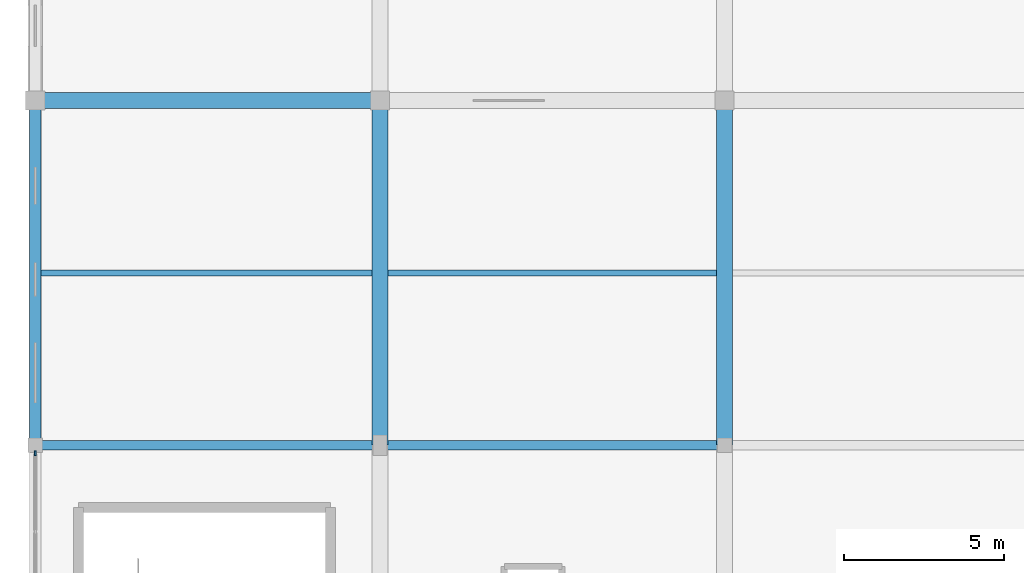
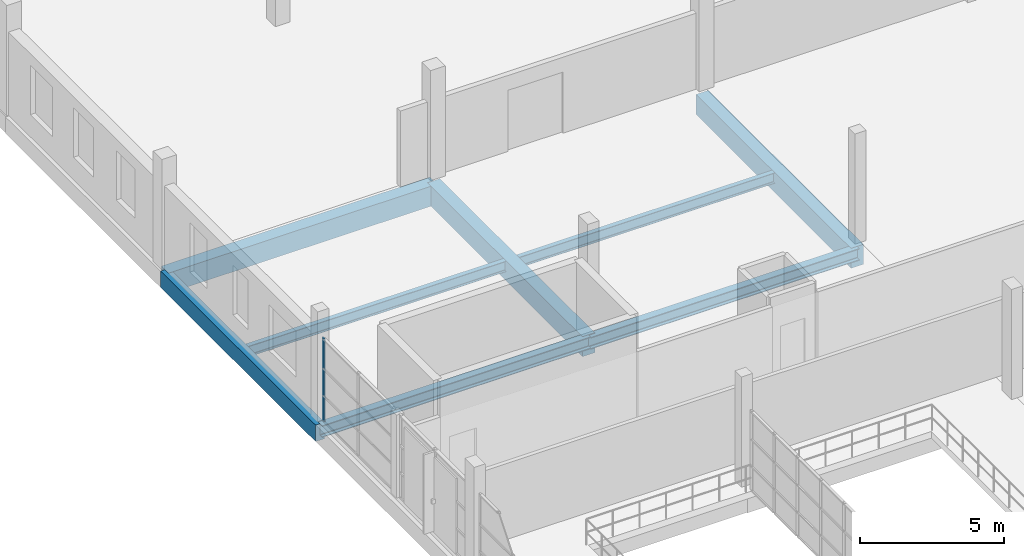
# One storey, part 38 of 142: 8 beams, 1 member, 1 element without a shape of its own.
"""IFC4 building model written with IfcOpenShell, lengths in metres."""

from ifc_helpers import new_model, si_unit, direction, frame, origin, origin_2d, place, context, subcontext, project, spatial, rectangle, i_section, extrude, material, material_profile, profile_set, type_object, element, aggregate, save


model = new_model("IFC4")

# Units and contexts
model_context = context("Model", 3, precision=1e-05, world=origin(), true_north=direction((0.0, 1.0)))
body_context = subcontext(model_context, "Body", "Model", "MODEL_VIEW")
ifc_project = project(units=[si_unit("LENGTHUNIT", "METRE"), si_unit("AREAUNIT", "SQUARE_METRE"), si_unit("VOLUMEUNIT", "CUBIC_METRE"), si_unit("PLANEANGLEUNIT", "RADIAN"), si_unit("MASSUNIT", "GRAM", prefix="KILO")], contexts=[model_context])

# Site, building, storey
site_placement = place(None, origin())
site = spatial("IfcSite", under=ifc_project, at=site_placement, CompositionType="ELEMENT")
building_placement = place(site_placement, origin())
building = spatial("IfcBuilding", under=site, at=building_placement, Name="Zwinboog Wholesale Market", CompositionType="ELEMENT")
storey_placement = place(building_placement, frame((0.0, 0.0, 5.39990234375)))
storey = spatial("IfcBuildingStorey", under=building, at=storey_placement, Name="L01", CompositionType="ELEMENT", Elevation=5.39990234375)

# Beams
ifc_material_1 = material(Name="Precast concrete C45/55", Category="concrete")
ifc_material_profile_1 = material_profile(ifc_material_1, rectangle(XDim=0.5, YDim=0.85009765625, at=origin_2d()), Name="PC 500x850")
ifc_profile_set_1 = profile_set([ifc_material_profile_1], Name="Precast concrete C45/55")
beam_type_1 = type_object("IfcBeamType", Name="BT-03", PredefinedType="BEAM", material=ifc_profile_set_1)
for number, where, z_axis, x_axis, name in (
    (1, (0.0, 108.0, -0.704833984375), (1.0, 0.0, 0.0), (0.0, 1.0, 0.0), "BG-03 (BMG-L01-0000-1080-0541)"),
    (2, (10.800048828125, 97.199951171875, -0.704833984375), (0.0, 1.0, 0.0), (-1.0, 0.0, 0.0), "BG-03 (BMG-L01-0108-0972-0620)"),
    (3, (21.60009765625, 97.199951171875, -0.72998046875), (0.0, 1.0, 0.0), (-1.0, 0.0, 0.0), "BG-03 (BMG-L01-0216-0972-0632)"),
):
    element("IfcBeam", number, at=place(storey_placement, frame(where, z_axis=z_axis, x_axis=x_axis)), inside=storey, type_object=beam_type_1, Name=name, PredefinedType="BEAM", context=body_context, shape_type="SweptSolid", body=[
        extrude(rectangle(XDim=0.5, YDim=0.85009765625, at=origin_2d()), origin(), (0.0, 0.0, 1.0), 10.800048828125),
    ])
ifc_material_profile_2 = material_profile(ifc_material_1, rectangle(XDim=0.35009765625, YDim=0.699951171875, at=origin_2d()), Name="PC 350x700")
ifc_profile_set_2 = profile_set([ifc_material_profile_2], Name="Precast concrete C45/55")
beam_type_2 = type_object("IfcBeamType", Name="BT-08", PredefinedType="SPANDREL", material=ifc_profile_set_2)
beam_1_placement = place(storey_placement, frame((0.0, 97.199951171875, -0.6298828125), z_axis=(0.0, 1.0, 0.0), x_axis=(-1.0, 0.0, 0.0)))
element("IfcBeam", 4, at=beam_1_placement, inside=storey, type_object=beam_type_2, Name="SP-01 (BMG-L01-0000-0972-0610)", PredefinedType="SPANDREL", context=body_context, shape_type="SweptSolid", body=[
    extrude(rectangle(XDim=0.35009765625, YDim=0.699951171875, at=origin_2d()), origin(), (0.0, 0.0, 1.0), 10.800048828125),
])
ifc_material_2 = material(Name="Steel S355", Category="steel")
ifc_material_profile_3 = material_profile(ifc_material_2, i_section(OverallWidth=0.300048828125, OverallDepth=0.5, WebThickness=0.014404296875, FlangeThickness=0.028076171875, FilletRadius=0.027099609375, at=origin_2d()), Name="HEB 500")
ifc_profile_set_3 = profile_set([ifc_material_profile_3], Name="Steel S355")
beam_type_3 = type_object("IfcBeamType", Name="BT-14", PredefinedType="BEAM", material=ifc_profile_set_3)
for number, where, z_axis, x_axis, name in (
    (5, (0.0, 97.199951171875, -0.52978515625), (1.0, 0.0, 0.0), (0.0, 1.0, 0.0), "SB-01 (BMG-L01-0000-0972-0525)"),
    (6, (10.800048828125, 97.199951171875, -0.554931640625), (1.0, 0.0, 0.0), (0.0, 1.0, 0.0), "SB-01 (BMG-L01-0108-0972-0526)"),
):
    element("IfcBeam", number, at=place(storey_placement, frame(where, z_axis=z_axis, x_axis=x_axis)), inside=storey, type_object=beam_type_3, Name=name, PredefinedType="BEAM", context=body_context, shape_type="SweptSolid", body=[
        extrude(i_section(OverallWidth=0.300048828125, OverallDepth=0.5, WebThickness=0.014404296875, FlangeThickness=0.028076171875, FilletRadius=0.027099609375, at=origin_2d()), origin(), (0.0, 0.0, 1.0), 10.800048828125),
    ])
ifc_material_profile_4 = material_profile(ifc_material_2, i_section(OverallWidth=0.18994140625, OverallDepth=0.449951171875, WebThickness=0.009521484375, FlangeThickness=0.0146484375, FilletRadius=0.02099609375, at=origin_2d()), Name="IPE 450")
ifc_profile_set_4 = profile_set([ifc_material_profile_4], Name="Steel S355")
beam_type_4 = type_object("IfcBeamType", Name="BT-19", PredefinedType="JOIST", material=ifc_profile_set_4)
beam_2_placement = place(storey_placement, frame((0.175048828125, 102.60009765625, -0.5048828125), z_axis=(1.0, 0.0, 0.0), x_axis=(0.0, 1.0, 0.0)))
element("IfcBeam", 7, at=beam_2_placement, inside=storey, type_object=beam_type_4, Name="SJ-02 (BMG-L01-0002-1026-0796)", PredefinedType="JOIST", context=body_context, shape_type="SweptSolid", body=[
    extrude(i_section(OverallWidth=0.18994140625, OverallDepth=0.449951171875, WebThickness=0.009521484375, FlangeThickness=0.0146484375, FilletRadius=0.02099609375, at=origin_2d()), origin(), (0.0, 0.0, 1.0), 10.375),
])
beam_3_placement = place(storey_placement, frame((11.050048828125, 102.60009765625, -0.52978515625), z_axis=(1.0, 0.0, 0.0), x_axis=(0.0, 1.0, 0.0)))
element("IfcBeam", 8, at=beam_3_placement, inside=storey, type_object=beam_type_4, Name="SJ-02 (BMG-L01-0110-1026-0799)", PredefinedType="JOIST", context=body_context, shape_type="SweptSolid", body=[
    extrude(i_section(OverallWidth=0.18994140625, OverallDepth=0.449951171875, WebThickness=0.009521484375, FlangeThickness=0.0146484375, FilletRadius=0.02099609375, at=origin_2d()), origin(), (0.0, 0.0, 1.0), 10.300048828125),
])

# Curtain wall, member
ifc_material_3 = material(Name="Aluminium thermally broken curtain wall", Category="aluminium")
curtain_wall_type = type_object("IfcCurtainWallType", Name="CWT-GAL-16", PredefinedType="USERDEFINED", material=ifc_material_3)
curtain_wall_placement = place(storey_placement, origin())
curtain_wall = element("IfcCurtainWall", 9, at=curtain_wall_placement, inside=storey, type_object=curtain_wall_type, Name="CW-04 (CW-L01-064)", ObjectType="UNITIZED_CURTAIN_WALL", PredefinedType="USERDEFINED")
ifc_material_4 = material(Name="Aluminium EN AW-6060", Category="aluminium")
ifc_material_profile_5 = material_profile(ifc_material_4, rectangle(XDim=0.06005859375, YDim=0.14990234375, at=origin_2d()), Name="AL 60x150")
ifc_profile_set_5 = profile_set([ifc_material_profile_5], Name="Aluminium EN AW-6060")
member_type = type_object("IfcMemberType", Name="CWM-60x150", PredefinedType="MULLION", material=ifc_profile_set_5)
member_placement = place(storey_placement, frame((0.0, 96.949951171875, 0.0), z_axis=(0.0, 0.0, 1.0), x_axis=(-1.0, 0.0, 0.0)))
member = element("IfcMember", 10, at=member_placement, type_object=member_type, Name="CW-04 mullion 3", PredefinedType="MULLION", context=body_context, shape_type="SweptSolid", body=[
    extrude(rectangle(XDim=0.06005859375, YDim=0.14990234375, at=origin_2d()), origin(), (0.0, 0.0, 1.0), 3.530029296875),
])
aggregate(curtain_wall, [member])

save(model, "model.ifc")
